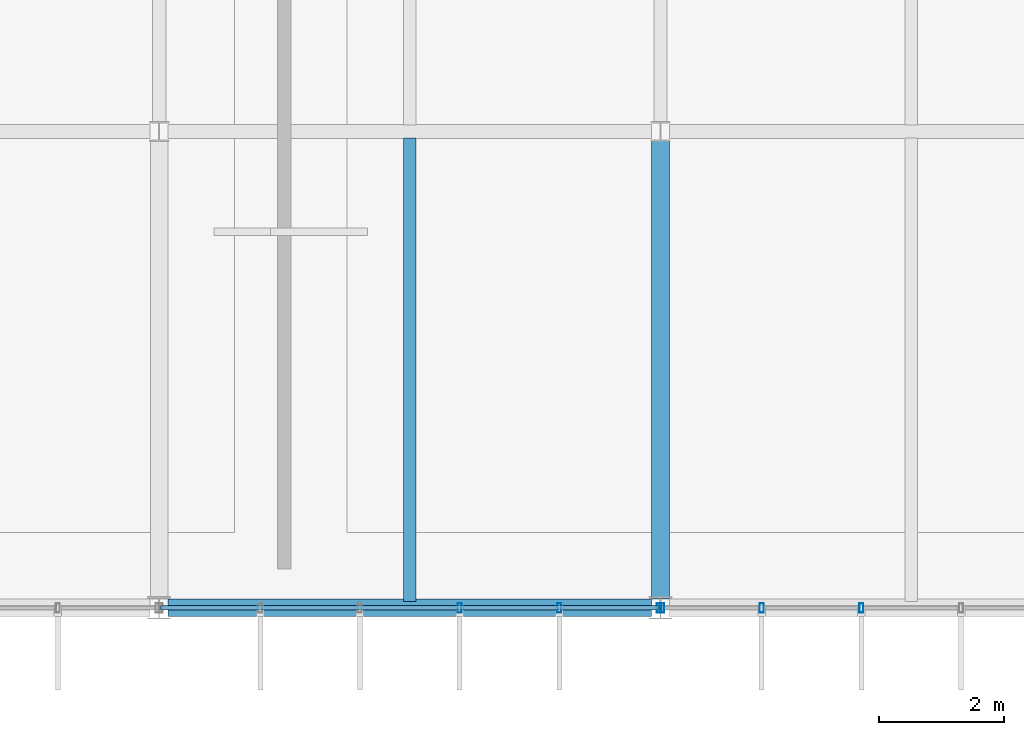
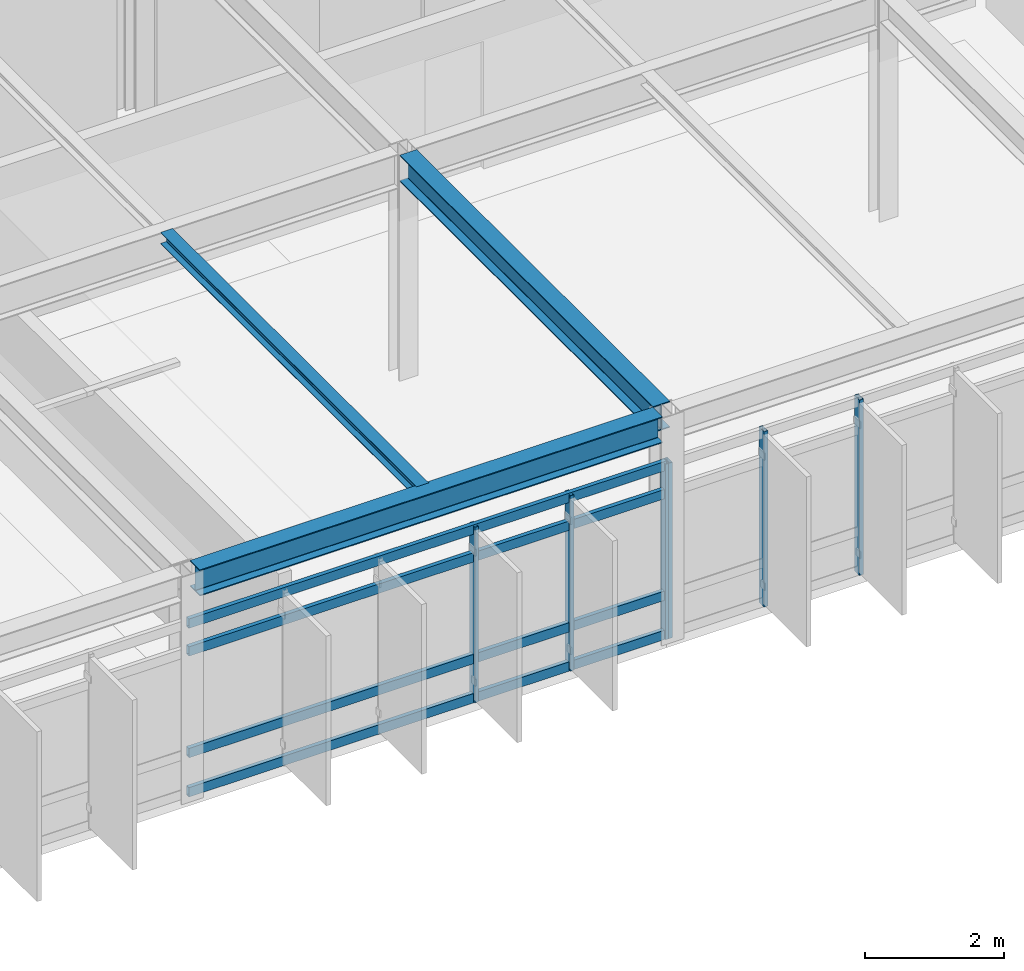
# One storey, part 12 of 45: 10 members, 3 beams, 2 elements without a shape of their own.
"""IFC4 building model written with IfcOpenShell, lengths in metres."""

from ifc_helpers import new_model, si_unit, direction, frame, origin, origin_2d, place, context, subcontext, project, spatial, hollow_rectangle, i_section, extrude, material, material_profile, profile_set, type_object, element, aggregate, save


model = new_model("IFC4")

# Units and contexts
model_context = context("Model", 3, precision=1e-05, world=origin(), true_north=direction((0.0, 1.0)))
body_context = subcontext(model_context, "Body", "Model", "MODEL_VIEW")
ifc_project = project(units=[si_unit("LENGTHUNIT", "METRE"), si_unit("AREAUNIT", "SQUARE_METRE"), si_unit("VOLUMEUNIT", "CUBIC_METRE"), si_unit("PLANEANGLEUNIT", "RADIAN"), si_unit("MASSUNIT", "GRAM", prefix="KILO")], contexts=[model_context])

# Site, building, storey
site_placement = place(None, origin())
site = spatial("IfcSite", under=ifc_project, at=site_placement, CompositionType="ELEMENT")
building_placement = place(site_placement, origin())
building = spatial("IfcBuilding", under=site, at=building_placement, Name="Zulena Civic Courthouse", CompositionType="ELEMENT")
storey_placement = place(building_placement, frame((0.0, 0.0, 29.39990234375)))
storey = spatial("IfcBuildingStorey", under=building, at=storey_placement, Name="L06", CompositionType="ELEMENT", Elevation=29.39990234375)

# Curtain wall, members
ifc_material_1 = material(Name="Double-silver low-E laminated solar-control glass", Category="glass")
curtain_wall_type = type_object("IfcCurtainWallType", Name="CW_7952x3090", PredefinedType="USERDEFINED", material=ifc_material_1)
curtain_wall_1_placement = place(storey_placement, origin())
curtain_wall_1 = element("IfcCurtainWall", 1, at=curtain_wall_1_placement, inside=storey, type_object=curtain_wall_type, Name="cw:V2:L06:3:3", ObjectType="UNITISED CURTAIN WALL", PredefinedType="USERDEFINED")
ifc_material_2 = material(Name="Bronze anodised thermally broken aluminium AA6063-T6", Category="aluminium")
ifc_material_profile_1 = material_profile(ifc_material_2, hollow_rectangle(XDim=0.06494140625, YDim=0.14990234375, WallThickness=0.00390625, at=origin_2d()), Name="CWM150X65X4")
ifc_profile_set_1 = profile_set([ifc_material_profile_1], Name="Bronze anodised thermally broken aluminium AA6063-T6")
member_type_1 = type_object("IfcMemberType", Name="CWMullion_150x65", PredefinedType="MULLION", material=ifc_profile_set_1)
member_1_placement = place(storey_placement, frame((39.204833984375, 0.0, 0.0), z_axis=(0.0, 0.0, 1.0), x_axis=(1.0, 0.0, 0.0)))
member_1 = element("IfcMember", 2, at=member_1_placement, type_object=member_type_1, Name="cw:V2:L06:3:3:mull:3", PredefinedType="MULLION", context=body_context, shape_type="SweptSolid", body=[
    extrude(hollow_rectangle(XDim=0.06494140625, YDim=0.14990234375, WallThickness=0.00390625, at=origin_2d()), origin(), (0.0, 0.0, 1.0), 3.090087890625),
])
member_2_placement = place(storey_placement, frame((37.614501953125, 0.0, 0.0), z_axis=(0.0, 0.0, 1.0), x_axis=(1.0, 0.0, 0.0)))
member_2 = element("IfcMember", 3, at=member_2_placement, type_object=member_type_1, Name="cw:V2:L06:3:3:mull:4", PredefinedType="MULLION", context=body_context, shape_type="SweptSolid", body=[
    extrude(hollow_rectangle(XDim=0.06494140625, YDim=0.14990234375, WallThickness=0.00390625, at=origin_2d()), origin(), (0.0, 0.0, 1.0), 3.090087890625),
])
member_3_placement = place(storey_placement, frame((36.02392578125, 0.0, 0.0), z_axis=(0.0, 0.0, 1.0), x_axis=(1.0, 0.0, 0.0)))
member_3 = element("IfcMember", 4, at=member_3_placement, type_object=member_type_1, Name="cw:V2:L06:3:3:mull:5", PredefinedType="MULLION", context=body_context, shape_type="SweptSolid", body=[
    extrude(hollow_rectangle(XDim=0.06494140625, YDim=0.14990234375, WallThickness=0.00390625, at=origin_2d()), origin(), (0.0, 0.0, 1.0), 3.090087890625),
])
aggregate(curtain_wall_1, [member_1, member_2, member_3])

curtain_wall_2_placement = place(storey_placement, origin())
curtain_wall_2 = element("IfcCurtainWall", 5, at=curtain_wall_2_placement, inside=storey, type_object=curtain_wall_type, Name="cw:V2:L06:3:4", ObjectType="UNITISED CURTAIN WALL", PredefinedType="USERDEFINED")
member_4_placement = place(storey_placement, frame((35.97607421875, 0.0, 0.0), z_axis=(0.0, 0.0, 1.0), x_axis=(1.0, 0.0, 0.0)))
member_4 = element("IfcMember", 6, at=member_4_placement, type_object=member_type_1, Name="cw:V2:L06:3:4:mull:0", PredefinedType="MULLION", context=body_context, shape_type="SweptSolid", body=[
    extrude(hollow_rectangle(XDim=0.06494140625, YDim=0.14990234375, WallThickness=0.00390625, at=origin_2d()), origin(), (0.0, 0.0, 1.0), 3.090087890625),
])
member_5_placement = place(storey_placement, frame((34.385498046875, 0.0, 0.0), z_axis=(0.0, 0.0, 1.0), x_axis=(1.0, 0.0, 0.0)))
member_5 = element("IfcMember", 7, at=member_5_placement, type_object=member_type_1, Name="cw:V2:L06:3:4:mull:1", PredefinedType="MULLION", context=body_context, shape_type="SweptSolid", body=[
    extrude(hollow_rectangle(XDim=0.06494140625, YDim=0.14990234375, WallThickness=0.00390625, at=origin_2d()), origin(), (0.0, 0.0, 1.0), 3.090087890625),
])
member_6_placement = place(storey_placement, frame((32.795166015625, 0.0, 0.0), z_axis=(0.0, 0.0, 1.0), x_axis=(1.0, 0.0, 0.0)))
member_6 = element("IfcMember", 8, at=member_6_placement, type_object=member_type_1, Name="cw:V2:L06:3:4:mull:2", PredefinedType="MULLION", context=body_context, shape_type="SweptSolid", body=[
    extrude(hollow_rectangle(XDim=0.06494140625, YDim=0.14990234375, WallThickness=0.00390625, at=origin_2d()), origin(), (0.0, 0.0, 1.0), 3.090087890625),
])
ifc_material_profile_2 = material_profile(ifc_material_2, hollow_rectangle(XDim=0.070068359375, YDim=0.1650390625, WallThickness=0.00390625, at=origin_2d()), Name="CWT165X70X4")
ifc_profile_set_2 = profile_set([ifc_material_profile_2], Name="Bronze anodised thermally broken aluminium AA6063-T6")
member_type_2 = type_object("IfcMemberType", Name="CWTransom_165x70", PredefinedType="USERDEFINED", material=ifc_profile_set_2)
member_7_placement = place(storey_placement, frame((35.97607421875, 0.0, 0.06005859375), z_axis=(-1.0, 0.0, 0.0), x_axis=(0.0, -1.0, 0.0)))
member_7 = element("IfcMember", 9, at=member_7_placement, type_object=member_type_2, Name="cw:V2:L06:3:4:tran:0", ObjectType="TRANSOM", PredefinedType="USERDEFINED", context=body_context, shape_type="SweptSolid", body=[
    extrude(hollow_rectangle(XDim=0.070068359375, YDim=0.1650390625, WallThickness=0.00390625, at=origin_2d()), origin(), (0.0, 0.0, 1.0), 7.9521484375),
])
member_8_placement = place(storey_placement, frame((35.97607421875, 0.0, 0.75), z_axis=(-1.0, 0.0, 0.0), x_axis=(0.0, -1.0, 0.0)))
member_8 = element("IfcMember", 10, at=member_8_placement, type_object=member_type_2, Name="cw:V2:L06:3:4:tran:1", ObjectType="TRANSOM", PredefinedType="USERDEFINED", context=body_context, shape_type="SweptSolid", body=[
    extrude(hollow_rectangle(XDim=0.070068359375, YDim=0.1650390625, WallThickness=0.00390625, at=origin_2d()), origin(), (0.0, 0.0, 1.0), 7.9521484375),
])
member_9_placement = place(storey_placement, frame((35.97607421875, 0.0, 2.5400390625), z_axis=(-1.0, 0.0, 0.0), x_axis=(0.0, -1.0, 0.0)))
member_9 = element("IfcMember", 11, at=member_9_placement, type_object=member_type_2, Name="cw:V2:L06:3:4:tran:2", ObjectType="TRANSOM", PredefinedType="USERDEFINED", context=body_context, shape_type="SweptSolid", body=[
    extrude(hollow_rectangle(XDim=0.070068359375, YDim=0.1650390625, WallThickness=0.00390625, at=origin_2d()), origin(), (0.0, 0.0, 1.0), 7.9521484375),
])
member_10_placement = place(storey_placement, frame((35.97607421875, 0.0, 3.030029296875), z_axis=(-1.0, 0.0, 0.0), x_axis=(0.0, -1.0, 0.0)))
member_10 = element("IfcMember", 12, at=member_10_placement, type_object=member_type_2, Name="cw:V2:L06:3:4:tran:3", ObjectType="TRANSOM", PredefinedType="USERDEFINED", context=body_context, shape_type="SweptSolid", body=[
    extrude(hollow_rectangle(XDim=0.070068359375, YDim=0.1650390625, WallThickness=0.00390625, at=origin_2d()), origin(), (0.0, 0.0, 1.0), 7.9521484375),
])
aggregate(curtain_wall_2, [member_4, member_5, member_6, member_7, member_8, member_9, member_10])

# Beams
ifc_material_3 = material(Name="Steel ASTM A992 Grade 50", Category="steel")
ifc_material_profile_3 = material_profile(ifc_material_3, i_section(OverallWidth=0.202880859375, OverallDepth=0.202880859375, WebThickness=0.007080078125, FlangeThickness=0.010986328125, FilletRadius=0.007568359375, at=origin_2d()), Name="W8X31")
ifc_profile_set_3 = profile_set([ifc_material_profile_3], Name="Steel ASTM A992 Grade 50")
beam_type_1 = type_object("IfcBeamType", Name="Joist_W8X31", PredefinedType="JOIST", material=ifc_profile_set_3)
beam_1_placement = place(storey_placement, frame((32.0, 0.10498046875, 3.898681640625), z_axis=(0.0, 1.0, 0.0), x_axis=(-1.0, 0.0, 0.0)))
element("IfcBeam", 13, at=beam_1_placement, inside=storey, type_object=beam_type_1, Name="joist:V2:L06:32.00:0.0_7.6", PredefinedType="JOIST", context=body_context, shape_type="SweptSolid", body=[
    extrude(i_section(OverallWidth=0.202880859375, OverallDepth=0.202880859375, WebThickness=0.007080078125, FlangeThickness=0.010986328125, FilletRadius=0.007568359375, at=origin_2d()), origin(), (0.0, 0.0, 1.0), 7.39013671875),
])
ifc_material_profile_4 = material_profile(ifc_material_3, i_section(OverallWidth=0.280029296875, OverallDepth=0.462890625, WebThickness=0.0107421875, FlangeThickness=0.017333984375, FilletRadius=0.01025390625, at=origin_2d()), Name="W18X76")
ifc_profile_set_4 = profile_set([ifc_material_profile_4], Name="Steel ASTM A992 Grade 50")
beam_type_2 = type_object("IfcBeamType", Name="Spandrel_W18X76", PredefinedType="SPANDREL", material=ifc_profile_set_4)
beam_2_placement = place(storey_placement, frame((28.14501953125, 0.0, 3.7685546875), z_axis=(1.0, 0.0, 0.0), x_axis=(0.0, 1.0, 0.0)))
element("IfcBeam", 14, at=beam_2_placement, inside=storey, type_object=beam_type_2, Name="beam:X:V2:L06:0.0:28.0_36.0", PredefinedType="SPANDREL", context=body_context, shape_type="SweptSolid", body=[
    extrude(i_section(OverallWidth=0.280029296875, OverallDepth=0.462890625, WebThickness=0.0107421875, FlangeThickness=0.017333984375, FilletRadius=0.01025390625, at=origin_2d()), origin(), (0.0, 0.0, 1.0), 7.7099609375),
])
beam_3_placement = place(storey_placement, frame((36.0, 0.14501953125, 3.7685546875), z_axis=(0.0, 1.0, 0.0), x_axis=(-1.0, 0.0, 0.0)))
element("IfcBeam", 15, at=beam_3_placement, inside=storey, type_object=beam_type_2, Name="beam:Y:V2:L06:36.0:0.0_7.6", PredefinedType="SPANDREL", context=body_context, shape_type="SweptSolid", body=[
    extrude(i_section(OverallWidth=0.280029296875, OverallDepth=0.462890625, WebThickness=0.0107421875, FlangeThickness=0.017333984375, FilletRadius=0.01025390625, at=origin_2d()), origin(), (0.0, 0.0, 1.0), 7.31005859375),
])

save(model, "model.ifc")
